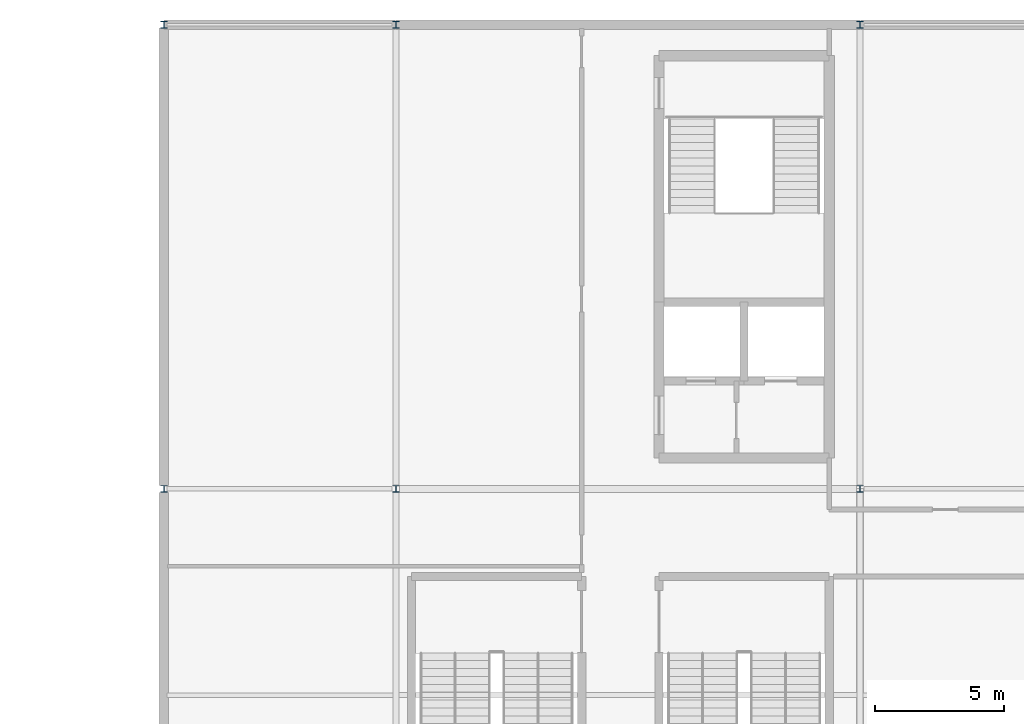
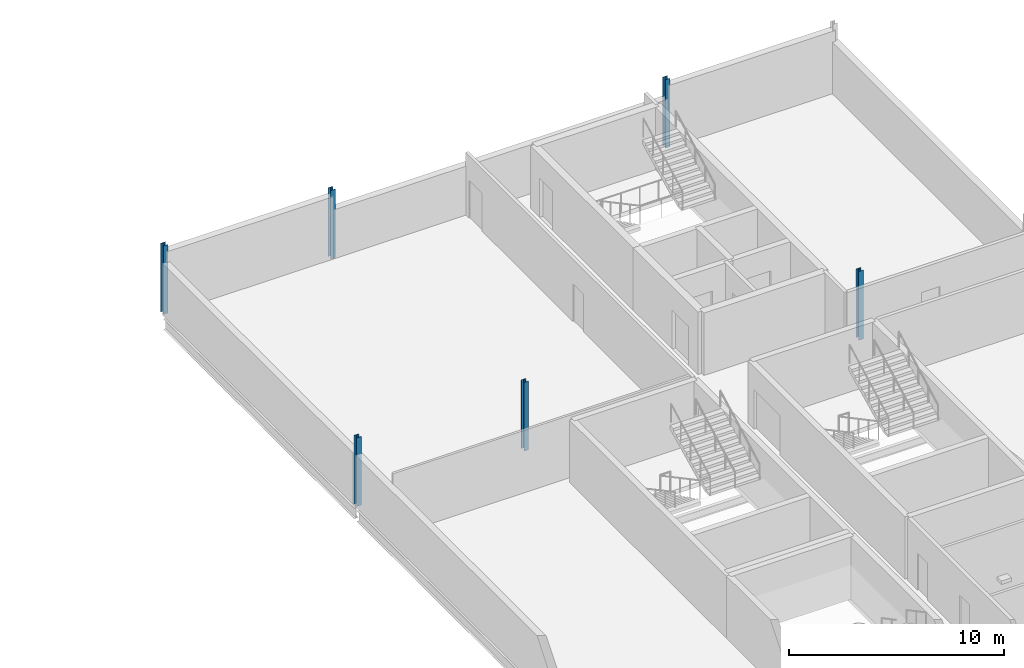
# One storey, part 10 of 30: 6 columns.
"""IFC4 building model written with IfcOpenShell, lengths in metres."""

from ifc_helpers import new_model, si_unit, direction, frame, origin, origin_2d, place, context, subcontext, project, spatial, i_section, extrude, material, material_profile, profile_set, type_object, element, save


model = new_model("IFC4")

# Units and contexts
model_context = context("Model", 3, precision=1e-05, world=origin(), true_north=direction((0.0, 1.0)))
body_context = subcontext(model_context, "Body", "Model", "MODEL_VIEW")
ifc_project = project(units=[si_unit("LENGTHUNIT", "METRE"), si_unit("AREAUNIT", "SQUARE_METRE"), si_unit("VOLUMEUNIT", "CUBIC_METRE"), si_unit("PLANEANGLEUNIT", "RADIAN"), si_unit("MASSUNIT", "GRAM", prefix="KILO")], contexts=[model_context])

# Site, building, storey
site_placement = place(None, origin())
site = spatial("IfcSite", under=ifc_project, at=site_placement, CompositionType="ELEMENT")
building_placement = place(site_placement, origin())
building = spatial("IfcBuilding", under=site, at=building_placement, Name="Kisiwana Market Hall", CompositionType="ELEMENT")
storey_placement = place(building_placement, frame((0.0, 0.0, 54.0)))
storey = spatial("IfcBuildingStorey", under=building, at=storey_placement, Name="L12", CompositionType="ELEMENT", Elevation=54.0)

# Columns
ifc_material = material(Name="Steel S355", Category="steel")
ifc_material_profile = material_profile(ifc_material, i_section(OverallWidth=0.25634765625, OverallDepth=0.26025390625, WebThickness=0.01025390625, FlangeThickness=0.017333984375, FilletRadius=0.0126953125, at=origin_2d()), Name="UC 254x254x89")
ifc_profile_set = profile_set([ifc_material_profile], Name="Steel S355")
column_type = type_object("IfcColumnType", Name="COL-STL-UC089", PredefinedType="COLUMN", material=ifc_profile_set)
for number, where, z_axis, x_axis, name in (
    (1, (162.0, 84.0, 0.0), (0.0, 0.0, 1.0), (1.0, 0.0, 0.0), "Column L/19 (L12) C-1382"),
    (2, (162.0, 102.0, 0.0), (0.0, 0.0, 1.0), (1.0, 0.0, 0.0), "Column N/19 (L12) C-1383"),
    (3, (171.0, 84.0, 0.0), (0.0, 0.0, 1.0), (1.0, 0.0, 0.0), "Column L/20 (L12) C-1387"),
    (4, (171.0, 102.0, 0.0), (0.0, 0.0, 1.0), (1.0, 0.0, 0.0), "Column N/20 (L12) C-1388"),
    (5, (189.0, 84.0, 0.0), (0.0, 0.0, 1.0), (1.0, 0.0, 0.0), "Column L/22 (L12) C-1391"),
    (6, (189.0, 102.0, 0.0), (0.0, 0.0, 1.0), (1.0, 0.0, 0.0), "Column N/22 (L12) C-1392"),
):
    element("IfcColumn", number, at=place(storey_placement, frame(where, z_axis=z_axis, x_axis=x_axis)), inside=storey, type_object=column_type, Name=name, PredefinedType="COLUMN", context=body_context, shape_type="SweptSolid", body=[
        extrude(i_section(OverallWidth=0.25634765625, OverallDepth=0.26025390625, WebThickness=0.01025390625, FlangeThickness=0.017333984375, FilletRadius=0.0126953125, at=origin_2d()), origin(), (0.0, 0.0, 1.0), 3.89990234375),
    ])

save(model, "model.ifc")
